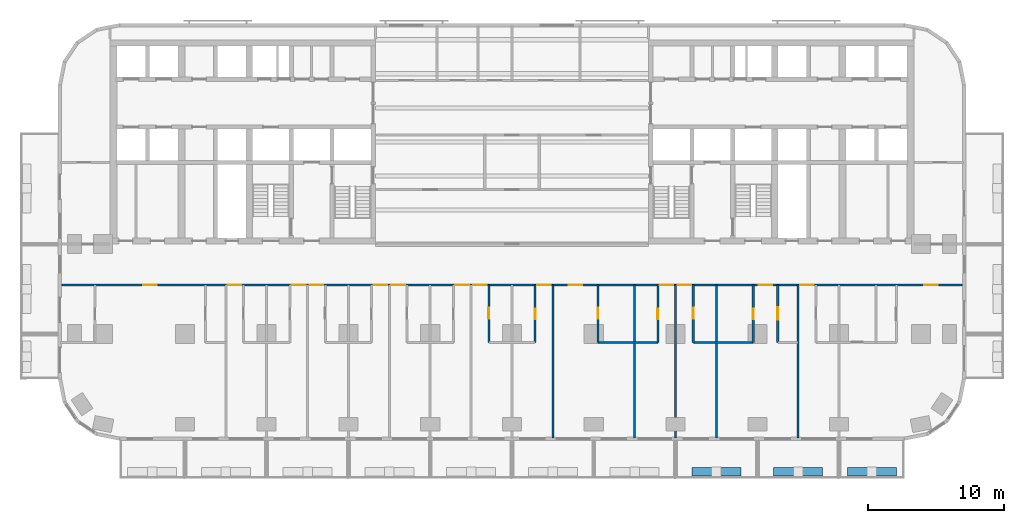
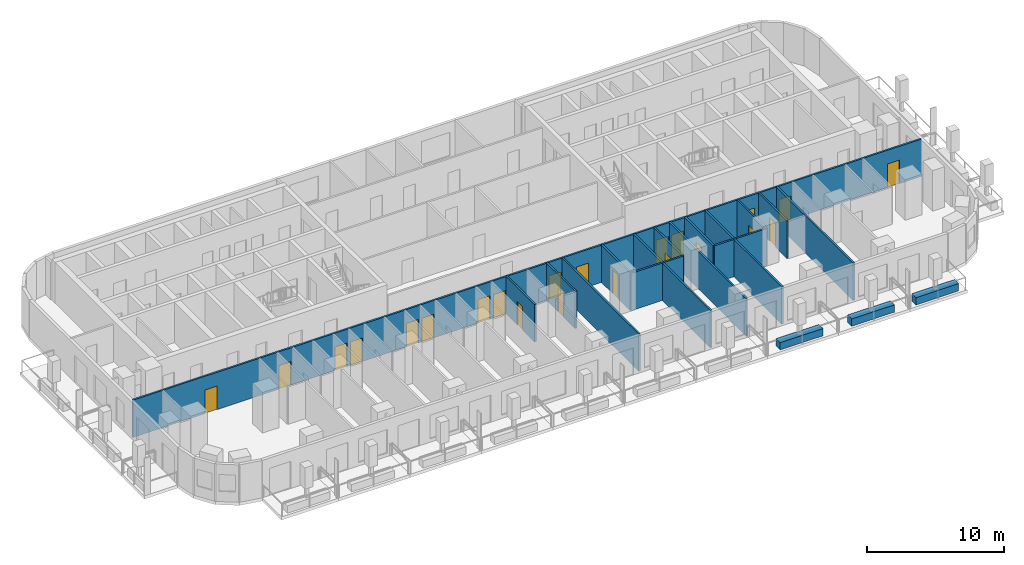
# One storey, part 5 of 14: 22 doors, 18 walls, 22 openings.
"""IFC4 building model written with IfcOpenShell, lengths in metres."""

from ifc_helpers import new_model, si_unit, direction, frame, frame_2d, origin, place, context, subcontext, project, spatial, rectangle, extrude, material, layer, layer_set, type_object, element, fill, save


model = new_model("IFC4")

# Units and contexts
model_context = context("Model", 3, precision=1e-05, world=origin(), true_north=direction((0.0, 1.0)))
body_context = subcontext(model_context, "Body", "Model", "MODEL_VIEW")
ifc_project = project(units=[si_unit("LENGTHUNIT", "METRE"), si_unit("AREAUNIT", "SQUARE_METRE"), si_unit("VOLUMEUNIT", "CUBIC_METRE"), si_unit("PLANEANGLEUNIT", "RADIAN"), si_unit("MASSUNIT", "GRAM", prefix="KILO")], contexts=[model_context])

# Site, building, storey
site_placement = place(None, origin())
site = spatial("IfcSite", under=ifc_project, at=site_placement, CompositionType="ELEMENT")
building_placement = place(site_placement, origin())
building = spatial("IfcBuilding", under=site, at=building_placement, Name="Torana Hotel and Residences", CompositionType="ELEMENT")
storey_placement = place(building_placement, frame((0.0, 0.0, 38.39990234375)))
storey = spatial("IfcBuildingStorey", under=building, at=storey_placement, Name="L08", CompositionType="ELEMENT", Elevation=38.39990234375)

# Wall, openings, doors
ifc_material_1 = material(Name="Gypsum plaster")
ifc_layer_1 = layer(ifc_material_1, 0.014892578125, Name="Plaster", Category="finish")
ifc_material_2 = material(Name="Concrete blockwork", Category="masonry")
ifc_layer_2 = layer(ifc_material_2, 0.1201171875, Name="Blockwork", Category="structure")
ifc_layer_3 = layer(ifc_material_1, 0.014892578125, Name="Plaster", Category="finish")
ifc_layer_set_1 = layer_set([ifc_layer_1, ifc_layer_2, ifc_layer_3], Name="FIRE PARTITION 150 BLOCKWORK")
wall_type_1 = type_object("IfcWallType", Name="FIRE PARTITION 150 BLOCKWORK", PredefinedType="PARTITIONING", material=ifc_layer_set_1)
wall_1_placement = place(storey_placement, frame((-33.1201171875, -18.0, 0.0), z_axis=(0.0, 0.0, 1.0), x_axis=(1.0, 0.0, 0.0)))
wall_1 = element("IfcWall", 1, at=wall_1_placement, inside=storey, type_object=wall_type_1, Name="Partition L08", PredefinedType="PARTITIONING", context=body_context, shape_type="SweptSolid", body=[
    extrude(rectangle(XDim=66.240234375, YDim=0.14990234375, at=frame_2d((33.1201171875, 0.0))), origin(), (0.0, 0.0, 1.0), 3.320068359375),
])
opening_1_placement = place(wall_1_placement, frame((12.27001953125, 0.0, 0.0)))
opening_1 = element("IfcOpeningElement", 2, at=opening_1_placement, cuts=wall_1, Name="Opening L08-38", PredefinedType="OPENING", context=body_context, shape_type="SweptSolid", body=[
    extrude(rectangle(XDim=1.0, YDim=2.10009765625, at=frame_2d((0.5, 1.050048828125))), frame((0.0, 0.0849609375, 0.0), z_axis=(0.0, -1.0, 0.0), x_axis=(1.0, 0.0, 0.0)), (0.0, 0.0, 1.0), 0.169921875),
])
opening_2_placement = place(wall_1_placement, frame((16.969970703125, 0.0, 0.0)))
opening_2 = element("IfcOpeningElement", 3, at=opening_2_placement, cuts=wall_1, Name="Opening L08-39", PredefinedType="OPENING", context=body_context, shape_type="SweptSolid", body=[
    extrude(rectangle(XDim=1.0, YDim=2.10009765625, at=frame_2d((0.5, 1.050048828125))), frame((0.0, 0.0849609375, 0.0), z_axis=(0.0, -1.0, 0.0), x_axis=(1.0, 0.0, 0.0)), (0.0, 0.0, 1.0), 0.169921875),
])
opening_3_placement = place(wall_1_placement, frame((18.27001953125, 0.0, 0.0)))
opening_3 = element("IfcOpeningElement", 4, at=opening_3_placement, cuts=wall_1, Name="Opening L08-40", PredefinedType="OPENING", context=body_context, shape_type="SweptSolid", body=[
    extrude(rectangle(XDim=1.0, YDim=2.10009765625, at=frame_2d((0.5, 1.050048828125))), frame((0.0, 0.0849609375, 0.0), z_axis=(0.0, -1.0, 0.0), x_axis=(1.0, 0.0, 0.0)), (0.0, 0.0, 1.0), 0.169921875),
])
opening_4_placement = place(wall_1_placement, frame((22.969970703125, 0.0, 0.0)))
opening_4 = element("IfcOpeningElement", 5, at=opening_4_placement, cuts=wall_1, Name="Opening L08-41", PredefinedType="OPENING", context=body_context, shape_type="SweptSolid", body=[
    extrude(rectangle(XDim=1.0, YDim=2.10009765625, at=frame_2d((0.5, 1.050048828125))), frame((0.0, 0.0849609375, 0.0), z_axis=(0.0, -1.0, 0.0), x_axis=(1.0, 0.0, 0.0)), (0.0, 0.0, 1.0), 0.169921875),
])
opening_5_placement = place(wall_1_placement, frame((24.27001953125, 0.0, 0.0)))
opening_5 = element("IfcOpeningElement", 6, at=opening_5_placement, cuts=wall_1, Name="Opening L08-42", PredefinedType="OPENING", context=body_context, shape_type="SweptSolid", body=[
    extrude(rectangle(XDim=1.0, YDim=2.10009765625, at=frame_2d((0.5, 1.050048828125))), frame((0.0, 0.0849609375, 0.0), z_axis=(0.0, -1.0, 0.0), x_axis=(1.0, 0.0, 0.0)), (0.0, 0.0, 1.0), 0.169921875),
])
opening_6_placement = place(wall_1_placement, frame((28.969970703125, 0.0, 0.0)))
opening_6 = element("IfcOpeningElement", 7, at=opening_6_placement, cuts=wall_1, Name="Opening L08-43", PredefinedType="OPENING", context=body_context, shape_type="SweptSolid", body=[
    extrude(rectangle(XDim=1.0, YDim=2.10009765625, at=frame_2d((0.5, 1.050048828125))), frame((0.0, 0.0849609375, 0.0), z_axis=(0.0, -1.0, 0.0), x_axis=(1.0, 0.0, 0.0)), (0.0, 0.0, 1.0), 0.169921875),
])
opening_7_placement = place(wall_1_placement, frame((30.27001953125, 0.0, 0.0)))
opening_7 = element("IfcOpeningElement", 8, at=opening_7_placement, cuts=wall_1, Name="Opening L08-44", PredefinedType="OPENING", context=body_context, shape_type="SweptSolid", body=[
    extrude(rectangle(XDim=1.0, YDim=2.10009765625, at=frame_2d((0.5, 1.050048828125))), frame((0.0, 0.0849609375, 0.0), z_axis=(0.0, -1.0, 0.0), x_axis=(1.0, 0.0, 0.0)), (0.0, 0.0, 1.0), 0.169921875),
])
opening_8_placement = place(wall_1_placement, frame((34.969970703125, 0.0, 0.0)))
opening_8 = element("IfcOpeningElement", 9, at=opening_8_placement, cuts=wall_1, Name="Opening L08-45", PredefinedType="OPENING", context=body_context, shape_type="SweptSolid", body=[
    extrude(rectangle(XDim=1.0, YDim=2.10009765625, at=frame_2d((0.5, 1.050048828125))), frame((0.0, 0.0849609375, 0.0), z_axis=(0.0, -1.0, 0.0), x_axis=(1.0, 0.0, 0.0)), (0.0, 0.0, 1.0), 0.169921875),
])
opening_9_placement = place(wall_1_placement, frame((37.27001953125, 0.0, 0.0)))
opening_9 = element("IfcOpeningElement", 10, at=opening_9_placement, cuts=wall_1, Name="Opening L08-46", PredefinedType="OPENING", context=body_context, shape_type="SweptSolid", body=[
    extrude(rectangle(XDim=1.0, YDim=2.10009765625, at=frame_2d((0.5, 1.050048828125))), frame((0.0, 0.0849609375, 0.0), z_axis=(0.0, -1.0, 0.0), x_axis=(1.0, 0.0, 0.0)), (0.0, 0.0, 1.0), 0.169921875),
])
opening_10_placement = place(wall_1_placement, frame((43.969970703125, 0.0, 0.0)))
opening_10 = element("IfcOpeningElement", 11, at=opening_10_placement, cuts=wall_1, Name="Opening L08-47", PredefinedType="OPENING", context=body_context, shape_type="SweptSolid", body=[
    extrude(rectangle(XDim=1.0, YDim=2.10009765625, at=frame_2d((0.5, 1.050048828125))), frame((0.0, 0.0849609375, 0.0), z_axis=(0.0, -1.0, 0.0), x_axis=(1.0, 0.0, 0.0)), (0.0, 0.0, 1.0), 0.169921875),
])
opening_11_placement = place(wall_1_placement, frame((45.27001953125, 0.0, 0.0)))
opening_11 = element("IfcOpeningElement", 12, at=opening_11_placement, cuts=wall_1, Name="Opening L08-48", PredefinedType="OPENING", context=body_context, shape_type="SweptSolid", body=[
    extrude(rectangle(XDim=1.0, YDim=2.10009765625, at=frame_2d((0.5, 1.050048828125))), frame((0.0, 0.0849609375, 0.0), z_axis=(0.0, -1.0, 0.0), x_axis=(1.0, 0.0, 0.0)), (0.0, 0.0, 1.0), 0.169921875),
])
opening_12_placement = place(wall_1_placement, frame((51.219970703125, 0.0, 0.0)))
opening_12 = element("IfcOpeningElement", 13, at=opening_12_placement, cuts=wall_1, Name="Opening L08-49", PredefinedType="OPENING", context=body_context, shape_type="SweptSolid", body=[
    extrude(rectangle(XDim=1.0, YDim=2.10009765625, at=frame_2d((0.5, 1.050048828125))), frame((0.0, 0.0849609375, 0.0), z_axis=(0.0, -1.0, 0.0), x_axis=(1.0, 0.0, 0.0)), (0.0, 0.0, 1.0), 0.169921875),
])
opening_13_placement = place(wall_1_placement, frame((54.27001953125, 0.0, 0.0)))
opening_13 = element("IfcOpeningElement", 14, at=opening_13_placement, cuts=wall_1, Name="Opening L08-50", PredefinedType="OPENING", context=body_context, shape_type="SweptSolid", body=[
    extrude(rectangle(XDim=1.0, YDim=2.10009765625, at=frame_2d((0.5, 1.050048828125))), frame((0.0, 0.0849609375, 0.0), z_axis=(0.0, -1.0, 0.0), x_axis=(1.0, 0.0, 0.0)), (0.0, 0.0, 1.0), 0.169921875),
])
opening_14_placement = place(wall_1_placement, frame((6.070068359375, 0.0, 0.0)))
opening_14 = element("IfcOpeningElement", 15, at=opening_14_placement, cuts=wall_1, Name="Opening L08-51", PredefinedType="OPENING", context=body_context, shape_type="SweptSolid", body=[
    extrude(rectangle(XDim=1.0, YDim=2.10009765625, at=frame_2d((0.5, 1.050048828125))), frame((0.0, 0.0849609375, 0.0), z_axis=(0.0, -1.0, 0.0), x_axis=(1.0, 0.0, 0.0)), (0.0, 0.0, 1.0), 0.169921875),
])
opening_15_placement = place(wall_1_placement, frame((63.3701171875, 0.0, 0.0)))
opening_15 = element("IfcOpeningElement", 16, at=opening_15_placement, cuts=wall_1, Name="Opening L08-52", PredefinedType="OPENING", context=body_context, shape_type="SweptSolid", body=[
    extrude(rectangle(XDim=1.0, YDim=2.10009765625, at=frame_2d((0.5, 1.050048828125))), frame((0.0, 0.0849609375, 0.0), z_axis=(0.0, -1.0, 0.0), x_axis=(1.0, 0.0, 0.0)), (0.0, 0.0, 1.0), 0.169921875),
])
ifc_material_3 = material(Name="Steel S235", Category="steel")
door_type_1 = type_object("IfcDoorType", Name="ENTRY FIRE DOOR D6 1000x2100", OperationType="SINGLE_SWING_LEFT", PredefinedType="DOOR", material=ifc_material_3)
door_1_placement = place(opening_1_placement, frame((0.5, 0.0, 0.0), z_axis=(0.0, 0.0, 1.0), x_axis=(-1.0, 0.0, 0.0)))
door_1 = element("IfcDoor", 17, at=door_1_placement, inside=storey, type_object=door_type_1, Name="Door L08", OperationType="SINGLE_SWING_LEFT", OverallHeight=2.10009765625, OverallWidth=1.0, PredefinedType="DOOR", context=body_context, shape_type="SweptSolid", body=[
    extrude(rectangle(XDim=1.0, YDim=2.10009765625, at=frame_2d((0.0, 1.050048828125))), frame((0.0, -0.02490234375, 0.0), z_axis=(0.0, 1.0, 0.0), x_axis=(-1.0, 0.0, 0.0)), (0.0, 0.0, 1.0), 0.050048828125),
])
fill(opening_1, door_1)
door_2_placement = place(opening_2_placement, frame((0.5, 0.0, 0.0), z_axis=(0.0, 0.0, 1.0), x_axis=(-1.0, 0.0, 0.0)))
door_2 = element("IfcDoor", 18, at=door_2_placement, inside=storey, type_object=door_type_1, Name="Door L08", OperationType="SINGLE_SWING_LEFT", OverallHeight=2.10009765625, OverallWidth=1.0, PredefinedType="DOOR", context=body_context, shape_type="SweptSolid", body=[
    extrude(rectangle(XDim=1.0, YDim=2.10009765625, at=frame_2d((0.0, 1.050048828125))), frame((0.0, -0.02490234375, 0.0), z_axis=(0.0, 1.0, 0.0), x_axis=(-1.0, 0.0, 0.0)), (0.0, 0.0, 1.0), 0.050048828125),
])
fill(opening_2, door_2)
door_3_placement = place(opening_3_placement, frame((0.5, 0.0, 0.0), z_axis=(0.0, 0.0, 1.0), x_axis=(-1.0, 0.0, 0.0)))
door_3 = element("IfcDoor", 19, at=door_3_placement, inside=storey, type_object=door_type_1, Name="Door L08", OperationType="SINGLE_SWING_LEFT", OverallHeight=2.10009765625, OverallWidth=1.0, PredefinedType="DOOR", context=body_context, shape_type="SweptSolid", body=[
    extrude(rectangle(XDim=1.0, YDim=2.10009765625, at=frame_2d((0.0, 1.050048828125))), frame((0.0, -0.02490234375, 0.0), z_axis=(0.0, 1.0, 0.0), x_axis=(-1.0, 0.0, 0.0)), (0.0, 0.0, 1.0), 0.050048828125),
])
fill(opening_3, door_3)
door_4_placement = place(opening_4_placement, frame((0.5, 0.0, 0.0), z_axis=(0.0, 0.0, 1.0), x_axis=(-1.0, 0.0, 0.0)))
door_4 = element("IfcDoor", 20, at=door_4_placement, inside=storey, type_object=door_type_1, Name="Door L08", OperationType="SINGLE_SWING_LEFT", OverallHeight=2.10009765625, OverallWidth=1.0, PredefinedType="DOOR", context=body_context, shape_type="SweptSolid", body=[
    extrude(rectangle(XDim=1.0, YDim=2.10009765625, at=frame_2d((0.0, 1.050048828125))), frame((0.0, -0.02490234375, 0.0), z_axis=(0.0, 1.0, 0.0), x_axis=(-1.0, 0.0, 0.0)), (0.0, 0.0, 1.0), 0.050048828125),
])
fill(opening_4, door_4)
door_5_placement = place(opening_5_placement, frame((0.5, 0.0, 0.0), z_axis=(0.0, 0.0, 1.0), x_axis=(-1.0, 0.0, 0.0)))
door_5 = element("IfcDoor", 21, at=door_5_placement, inside=storey, type_object=door_type_1, Name="Door L08", OperationType="SINGLE_SWING_LEFT", OverallHeight=2.10009765625, OverallWidth=1.0, PredefinedType="DOOR", context=body_context, shape_type="SweptSolid", body=[
    extrude(rectangle(XDim=1.0, YDim=2.10009765625, at=frame_2d((0.0, 1.050048828125))), frame((0.0, -0.02490234375, 0.0), z_axis=(0.0, 1.0, 0.0), x_axis=(-1.0, 0.0, 0.0)), (0.0, 0.0, 1.0), 0.050048828125),
])
fill(opening_5, door_5)
door_6_placement = place(opening_6_placement, frame((0.5, 0.0, 0.0), z_axis=(0.0, 0.0, 1.0), x_axis=(-1.0, 0.0, 0.0)))
door_6 = element("IfcDoor", 22, at=door_6_placement, inside=storey, type_object=door_type_1, Name="Door L08", OperationType="SINGLE_SWING_LEFT", OverallHeight=2.10009765625, OverallWidth=1.0, PredefinedType="DOOR", context=body_context, shape_type="SweptSolid", body=[
    extrude(rectangle(XDim=1.0, YDim=2.10009765625, at=frame_2d((0.0, 1.050048828125))), frame((0.0, -0.02490234375, 0.0), z_axis=(0.0, 1.0, 0.0), x_axis=(-1.0, 0.0, 0.0)), (0.0, 0.0, 1.0), 0.050048828125),
])
fill(opening_6, door_6)
door_7_placement = place(opening_7_placement, frame((0.5, 0.0, 0.0), z_axis=(0.0, 0.0, 1.0), x_axis=(-1.0, 0.0, 0.0)))
door_7 = element("IfcDoor", 23, at=door_7_placement, inside=storey, type_object=door_type_1, Name="Door L08", OperationType="SINGLE_SWING_LEFT", OverallHeight=2.10009765625, OverallWidth=1.0, PredefinedType="DOOR", context=body_context, shape_type="SweptSolid", body=[
    extrude(rectangle(XDim=1.0, YDim=2.10009765625, at=frame_2d((0.0, 1.050048828125))), frame((0.0, -0.02490234375, 0.0), z_axis=(0.0, 1.0, 0.0), x_axis=(-1.0, 0.0, 0.0)), (0.0, 0.0, 1.0), 0.050048828125),
])
fill(opening_7, door_7)
door_8_placement = place(opening_8_placement, frame((0.5, 0.0, 0.0), z_axis=(0.0, 0.0, 1.0), x_axis=(-1.0, 0.0, 0.0)))
door_8 = element("IfcDoor", 24, at=door_8_placement, inside=storey, type_object=door_type_1, Name="Door L08", OperationType="SINGLE_SWING_LEFT", OverallHeight=2.10009765625, OverallWidth=1.0, PredefinedType="DOOR", context=body_context, shape_type="SweptSolid", body=[
    extrude(rectangle(XDim=1.0, YDim=2.10009765625, at=frame_2d((0.0, 1.050048828125))), frame((0.0, -0.02490234375, 0.0), z_axis=(0.0, 1.0, 0.0), x_axis=(-1.0, 0.0, 0.0)), (0.0, 0.0, 1.0), 0.050048828125),
])
fill(opening_8, door_8)
door_9_placement = place(opening_9_placement, frame((0.5, 0.0, 0.0), z_axis=(0.0, 0.0, 1.0), x_axis=(-1.0, 0.0, 0.0)))
door_9 = element("IfcDoor", 25, at=door_9_placement, inside=storey, type_object=door_type_1, Name="Door L08", OperationType="SINGLE_SWING_LEFT", OverallHeight=2.10009765625, OverallWidth=1.0, PredefinedType="DOOR", context=body_context, shape_type="SweptSolid", body=[
    extrude(rectangle(XDim=1.0, YDim=2.10009765625, at=frame_2d((0.0, 1.050048828125))), frame((0.0, -0.02490234375, 0.0), z_axis=(0.0, 1.0, 0.0), x_axis=(-1.0, 0.0, 0.0)), (0.0, 0.0, 1.0), 0.050048828125),
])
fill(opening_9, door_9)
door_10_placement = place(opening_10_placement, frame((0.5, 0.0, 0.0), z_axis=(0.0, 0.0, 1.0), x_axis=(-1.0, 0.0, 0.0)))
door_10 = element("IfcDoor", 26, at=door_10_placement, inside=storey, type_object=door_type_1, Name="Door L08", OperationType="SINGLE_SWING_LEFT", OverallHeight=2.10009765625, OverallWidth=1.0, PredefinedType="DOOR", context=body_context, shape_type="SweptSolid", body=[
    extrude(rectangle(XDim=1.0, YDim=2.10009765625, at=frame_2d((0.0, 1.050048828125))), frame((0.0, -0.02490234375, 0.0), z_axis=(0.0, 1.0, 0.0), x_axis=(-1.0, 0.0, 0.0)), (0.0, 0.0, 1.0), 0.050048828125),
])
fill(opening_10, door_10)
door_11_placement = place(opening_11_placement, frame((0.5, 0.0, 0.0), z_axis=(0.0, 0.0, 1.0), x_axis=(-1.0, 0.0, 0.0)))
door_11 = element("IfcDoor", 27, at=door_11_placement, inside=storey, type_object=door_type_1, Name="Door L08", OperationType="SINGLE_SWING_LEFT", OverallHeight=2.10009765625, OverallWidth=1.0, PredefinedType="DOOR", context=body_context, shape_type="SweptSolid", body=[
    extrude(rectangle(XDim=1.0, YDim=2.10009765625, at=frame_2d((0.0, 1.050048828125))), frame((0.0, -0.02490234375, 0.0), z_axis=(0.0, 1.0, 0.0), x_axis=(-1.0, 0.0, 0.0)), (0.0, 0.0, 1.0), 0.050048828125),
])
fill(opening_11, door_11)
door_12_placement = place(opening_12_placement, frame((0.5, 0.0, 0.0), z_axis=(0.0, 0.0, 1.0), x_axis=(-1.0, 0.0, 0.0)))
door_12 = element("IfcDoor", 28, at=door_12_placement, inside=storey, type_object=door_type_1, Name="Door L08", OperationType="SINGLE_SWING_LEFT", OverallHeight=2.10009765625, OverallWidth=1.0, PredefinedType="DOOR", context=body_context, shape_type="SweptSolid", body=[
    extrude(rectangle(XDim=1.0, YDim=2.10009765625, at=frame_2d((0.0, 1.050048828125))), frame((0.0, -0.02490234375, 0.0), z_axis=(0.0, 1.0, 0.0), x_axis=(-1.0, 0.0, 0.0)), (0.0, 0.0, 1.0), 0.050048828125),
])
fill(opening_12, door_12)
door_13_placement = place(opening_13_placement, frame((0.5, 0.0, 0.0), z_axis=(0.0, 0.0, 1.0), x_axis=(-1.0, 0.0, 0.0)))
door_13 = element("IfcDoor", 29, at=door_13_placement, inside=storey, type_object=door_type_1, Name="Door L08", OperationType="SINGLE_SWING_LEFT", OverallHeight=2.10009765625, OverallWidth=1.0, PredefinedType="DOOR", context=body_context, shape_type="SweptSolid", body=[
    extrude(rectangle(XDim=1.0, YDim=2.10009765625, at=frame_2d((0.0, 1.050048828125))), frame((0.0, -0.02490234375, 0.0), z_axis=(0.0, 1.0, 0.0), x_axis=(-1.0, 0.0, 0.0)), (0.0, 0.0, 1.0), 0.050048828125),
])
fill(opening_13, door_13)
door_14_placement = place(opening_14_placement, frame((0.5, 0.0, 0.0), z_axis=(0.0, 0.0, 1.0), x_axis=(-1.0, 0.0, 0.0)))
door_14 = element("IfcDoor", 30, at=door_14_placement, inside=storey, type_object=door_type_1, Name="Door L08", OperationType="SINGLE_SWING_LEFT", OverallHeight=2.10009765625, OverallWidth=1.0, PredefinedType="DOOR", context=body_context, shape_type="SweptSolid", body=[
    extrude(rectangle(XDim=1.0, YDim=2.10009765625, at=frame_2d((0.0, 1.050048828125))), frame((0.0, -0.02490234375, 0.0), z_axis=(0.0, 1.0, 0.0), x_axis=(-1.0, 0.0, 0.0)), (0.0, 0.0, 1.0), 0.050048828125),
])
fill(opening_14, door_14)
door_15_placement = place(opening_15_placement, frame((0.5, 0.0, 0.0), z_axis=(0.0, 0.0, 1.0), x_axis=(-1.0, 0.0, 0.0)))
door_15 = element("IfcDoor", 31, at=door_15_placement, inside=storey, type_object=door_type_1, Name="Door L08", OperationType="SINGLE_SWING_LEFT", OverallHeight=2.10009765625, OverallWidth=1.0, PredefinedType="DOOR", context=body_context, shape_type="SweptSolid", body=[
    extrude(rectangle(XDim=1.0, YDim=2.10009765625, at=frame_2d((0.0, 1.050048828125))), frame((0.0, -0.02490234375, 0.0), z_axis=(0.0, 1.0, 0.0), x_axis=(-1.0, 0.0, 0.0)), (0.0, 0.0, 1.0), 0.050048828125),
])
fill(opening_15, door_15)

# Wall
ifc_material_4 = material(Name="Gypsum plasterboard")
ifc_layer_4 = layer(ifc_material_4, 0.012451171875, Name="Plasterboard", Category="finish")
ifc_layer_5 = layer(ifc_material_4, 0.012451171875, Name="Plasterboard", Category="finish")
ifc_material_5 = material(Name="Steel S280GD", Category="steel")
ifc_layer_6 = layer(ifc_material_5, 0.10009765625, Name="Steel studs with mineral wool", Category="insulation")
ifc_layer_7 = layer(ifc_material_4, 0.012451171875, Name="Plasterboard", Category="finish")
ifc_layer_8 = layer(ifc_material_4, 0.012451171875, Name="Plasterboard", Category="finish")
ifc_layer_set_2 = layer_set([ifc_layer_4, ifc_layer_5, ifc_layer_6, ifc_layer_7, ifc_layer_8], Name="PARTITION 150 PLASTERBOARD")
wall_type_2 = type_object("IfcWallType", Name="PARTITION 150 PLASTERBOARD", PredefinedType="PARTITIONING", material=ifc_layer_set_2)
wall_2_placement = place(storey_placement, frame((21.0, -29.219970703125, 0.0), z_axis=(0.0, 0.0, 1.0), x_axis=(0.0, 1.0, 0.0)))
element("IfcWall", 32, at=wall_2_placement, inside=storey, type_object=wall_type_2, Name="Partition L08", PredefinedType="PARTITIONING", context=body_context, shape_type="SweptSolid", body=[
    extrude(rectangle(XDim=11.219970703125, YDim=0.14990234375, at=frame_2d((5.60986328125, 0.0))), origin(), (0.0, 0.0, 1.0), 3.320068359375),
])

# Wall, opening, door
wall_3_placement = place(storey_placement, frame((19.5, -22.199951171875, 0.0), z_axis=(0.0, 0.0, 1.0), x_axis=(0.0, 1.0, 0.0)))
wall_3 = element("IfcWall", 33, at=wall_3_placement, inside=storey, type_object=wall_type_2, Name="Partition L08", PredefinedType="PARTITIONING", context=body_context, shape_type="SweptSolid", body=[
    extrude(rectangle(XDim=4.199951171875, YDim=0.14990234375, at=frame_2d((2.10009765625, 0.0))), origin(), (0.0, 0.0, 1.0), 3.320068359375),
])
opening_16_placement = place(wall_3_placement, frame((1.669921875, 0.0, 0.0)))
opening_16 = element("IfcOpeningElement", 34, at=opening_16_placement, cuts=wall_3, Name="Opening L08-76", PredefinedType="OPENING", context=body_context, shape_type="SweptSolid", body=[
    extrude(rectangle(XDim=0.89990234375, YDim=2.10009765625, at=frame_2d((0.449951171875, 1.050048828125))), frame((0.0, 0.0849609375, 0.0), z_axis=(0.0, -1.0, 0.0), x_axis=(1.0, 0.0, 0.0)), (0.0, 0.0, 1.0), 0.169921875),
])
ifc_material_6 = material(Name="Timber door, oiled ash", Category="wood")
door_type_2 = type_object("IfcDoorType", Name="ROOM DOOR D7 900x2100", OperationType="SINGLE_SWING_LEFT", PredefinedType="DOOR", material=ifc_material_6)
door_16_placement = place(opening_16_placement, origin())
door_16 = element("IfcDoor", 35, at=door_16_placement, inside=storey, type_object=door_type_2, Name="Door L08", OperationType="SINGLE_SWING_RIGHT", OverallHeight=2.10009765625, OverallWidth=0.89990234375, PredefinedType="DOOR", context=body_context, shape_type="SweptSolid", body=[
    extrude(rectangle(XDim=0.89990234375, YDim=2.10009765625, at=frame_2d((0.449951171875, 1.050048828125))), frame((0.0, 0.02490234375, 0.0), z_axis=(0.0, -1.0, 0.0), x_axis=(1.0, 0.0, 0.0)), (0.0, 0.0, 1.0), 0.050048828125),
])
fill(opening_16, door_16)

wall_4_placement = place(storey_placement, frame((17.699951171875, -22.199951171875, 0.0), z_axis=(0.0, 0.0, 1.0), x_axis=(0.0, 1.0, 0.0)))
wall_4 = element("IfcWall", 36, at=wall_4_placement, inside=storey, type_object=wall_type_2, Name="Partition L08", PredefinedType="PARTITIONING", context=body_context, shape_type="SweptSolid", body=[
    extrude(rectangle(XDim=4.199951171875, YDim=0.14990234375, at=frame_2d((2.10009765625, 0.0))), origin(), (0.0, 0.0, 1.0), 3.320068359375),
])
opening_17_placement = place(wall_4_placement, frame((1.679931640625, 0.0, 0.0)))
opening_17 = element("IfcOpeningElement", 37, at=opening_17_placement, cuts=wall_4, Name="Opening L08-75", PredefinedType="OPENING", context=body_context, shape_type="SweptSolid", body=[
    extrude(rectangle(XDim=0.800048828125, YDim=2.10009765625, at=frame_2d((0.39990234375, 1.050048828125))), frame((0.0, 0.0849609375, 0.0), z_axis=(0.0, -1.0, 0.0), x_axis=(1.0, 0.0, 0.0)), (0.0, 0.0, 1.0), 0.169921875),
])
ifc_material_7 = material(Name="Timber door, painted", Category="wood")
door_type_3 = type_object("IfcDoorType", Name="BATH DOOR D13 800x2100", OperationType="SINGLE_SWING_LEFT", PredefinedType="DOOR", material=ifc_material_7)
door_17_placement = place(opening_17_placement, origin())
door_17 = element("IfcDoor", 38, at=door_17_placement, inside=storey, type_object=door_type_3, Name="Door L08", OperationType="SINGLE_SWING_RIGHT", OverallHeight=2.10009765625, OverallWidth=0.800048828125, PredefinedType="DOOR", context=body_context, shape_type="SweptSolid", body=[
    extrude(rectangle(XDim=0.800048828125, YDim=2.10009765625, at=frame_2d((0.39990234375, 1.050048828125))), frame((0.0, 0.02490234375, 0.0), z_axis=(0.0, -1.0, 0.0), x_axis=(1.0, 0.0, 0.0)), (0.0, 0.0, 1.0), 0.050048828125),
])
fill(opening_17, door_17)

# Wall
wall_5_placement = place(storey_placement, frame((15.0, -29.219970703125, 0.0), z_axis=(0.0, 0.0, 1.0), x_axis=(0.0, 1.0, 0.0)))
element("IfcWall", 39, at=wall_5_placement, inside=storey, type_object=wall_type_2, Name="Partition L08", PredefinedType="PARTITIONING", context=body_context, shape_type="SweptSolid", body=[
    extrude(rectangle(XDim=11.219970703125, YDim=0.14990234375, at=frame_2d((5.60986328125, 0.0))), origin(), (0.0, 0.0, 1.0), 3.320068359375),
])

# Wall, opening, door
wall_6_placement = place(storey_placement, frame((13.300048828125, -22.199951171875, 0.0), z_axis=(0.0, 0.0, 1.0), x_axis=(0.0, 1.0, 0.0)))
wall_6 = element("IfcWall", 40, at=wall_6_placement, inside=storey, type_object=wall_type_2, Name="Partition L08", PredefinedType="PARTITIONING", context=body_context, shape_type="SweptSolid", body=[
    extrude(rectangle(XDim=4.199951171875, YDim=0.14990234375, at=frame_2d((2.10009765625, 0.0))), origin(), (0.0, 0.0, 1.0), 3.320068359375),
])
opening_18_placement = place(wall_6_placement, frame((1.719970703125, 0.0, 0.0)))
opening_18 = element("IfcOpeningElement", 41, at=opening_18_placement, cuts=wall_6, Name="Opening L08-74", PredefinedType="OPENING", context=body_context, shape_type="SweptSolid", body=[
    extrude(rectangle(XDim=0.800048828125, YDim=2.10009765625, at=frame_2d((0.39990234375, 1.050048828125))), frame((0.0, 0.0849609375, 0.0), z_axis=(0.0, -1.0, 0.0), x_axis=(1.0, 0.0, 0.0)), (0.0, 0.0, 1.0), 0.169921875),
])
door_18_placement = place(opening_18_placement, origin())
door_18 = element("IfcDoor", 42, at=door_18_placement, inside=storey, type_object=door_type_3, Name="Door L08", OperationType="SINGLE_SWING_RIGHT", OverallHeight=2.10009765625, OverallWidth=0.800048828125, PredefinedType="DOOR", context=body_context, shape_type="SweptSolid", body=[
    extrude(rectangle(XDim=0.800048828125, YDim=2.10009765625, at=frame_2d((0.39990234375, 1.050048828125))), frame((0.0, 0.02490234375, 0.0), z_axis=(0.0, -1.0, 0.0), x_axis=(1.0, 0.0, 0.0)), (0.0, 0.0, 1.0), 0.050048828125),
])
fill(opening_18, door_18)

# Wall
wall_7_placement = place(storey_placement, frame((12.0, -29.219970703125, 0.0), z_axis=(0.0, 0.0, 1.0), x_axis=(0.0, 1.0, 0.0)))
element("IfcWall", 43, at=wall_7_placement, inside=storey, type_object=wall_type_2, Name="Partition L08", PredefinedType="PARTITIONING", context=body_context, shape_type="SweptSolid", body=[
    extrude(rectangle(XDim=11.219970703125, YDim=0.14990234375, at=frame_2d((5.60986328125, 0.0))), origin(), (0.0, 0.0, 1.0), 3.320068359375),
])

# Wall, opening, door
wall_8_placement = place(storey_placement, frame((10.699951171875, -22.199951171875, 0.0), z_axis=(0.0, 0.0, 1.0), x_axis=(0.0, 1.0, 0.0)))
wall_8 = element("IfcWall", 44, at=wall_8_placement, inside=storey, type_object=wall_type_2, Name="Partition L08", PredefinedType="PARTITIONING", context=body_context, shape_type="SweptSolid", body=[
    extrude(rectangle(XDim=4.199951171875, YDim=0.14990234375, at=frame_2d((2.10009765625, 0.0))), origin(), (0.0, 0.0, 1.0), 3.320068359375),
])
opening_19_placement = place(wall_8_placement, frame((1.679931640625, 0.0, 0.0)))
opening_19 = element("IfcOpeningElement", 45, at=opening_19_placement, cuts=wall_8, Name="Opening L08-73", PredefinedType="OPENING", context=body_context, shape_type="SweptSolid", body=[
    extrude(rectangle(XDim=0.800048828125, YDim=2.10009765625, at=frame_2d((0.39990234375, 1.050048828125))), frame((0.0, 0.0849609375, 0.0), z_axis=(0.0, -1.0, 0.0), x_axis=(1.0, 0.0, 0.0)), (0.0, 0.0, 1.0), 0.169921875),
])
door_19_placement = place(opening_19_placement, origin())
door_19 = element("IfcDoor", 46, at=door_19_placement, inside=storey, type_object=door_type_3, Name="Door L08", OperationType="SINGLE_SWING_RIGHT", OverallHeight=2.10009765625, OverallWidth=0.800048828125, PredefinedType="DOOR", context=body_context, shape_type="SweptSolid", body=[
    extrude(rectangle(XDim=0.800048828125, YDim=2.10009765625, at=frame_2d((0.39990234375, 1.050048828125))), frame((0.0, 0.02490234375, 0.0), z_axis=(0.0, -1.0, 0.0), x_axis=(1.0, 0.0, 0.0)), (0.0, 0.0, 1.0), 0.050048828125),
])
fill(opening_19, door_19)

# Wall
wall_9_placement = place(storey_placement, frame((9.0, -29.219970703125, 0.0), z_axis=(0.0, 0.0, 1.0), x_axis=(0.0, 1.0, 0.0)))
element("IfcWall", 47, at=wall_9_placement, inside=storey, type_object=wall_type_2, Name="Partition L08", PredefinedType="PARTITIONING", context=body_context, shape_type="SweptSolid", body=[
    extrude(rectangle(XDim=11.219970703125, YDim=0.14990234375, at=frame_2d((5.60986328125, 0.0))), origin(), (0.0, 0.0, 1.0), 3.320068359375),
])

# Wall, opening, door
wall_10_placement = place(storey_placement, frame((6.300048828125, -22.199951171875, 0.0), z_axis=(0.0, 0.0, 1.0), x_axis=(0.0, 1.0, 0.0)))
wall_10 = element("IfcWall", 48, at=wall_10_placement, inside=storey, type_object=wall_type_2, Name="Partition L08", PredefinedType="PARTITIONING", context=body_context, shape_type="SweptSolid", body=[
    extrude(rectangle(XDim=4.199951171875, YDim=0.14990234375, at=frame_2d((2.10009765625, 0.0))), origin(), (0.0, 0.0, 1.0), 3.320068359375),
])
opening_20_placement = place(wall_10_placement, frame((1.719970703125, 0.0, 0.0)))
opening_20 = element("IfcOpeningElement", 49, at=opening_20_placement, cuts=wall_10, Name="Opening L08-72", PredefinedType="OPENING", context=body_context, shape_type="SweptSolid", body=[
    extrude(rectangle(XDim=0.800048828125, YDim=2.10009765625, at=frame_2d((0.39990234375, 1.050048828125))), frame((0.0, 0.0849609375, 0.0), z_axis=(0.0, -1.0, 0.0), x_axis=(1.0, 0.0, 0.0)), (0.0, 0.0, 1.0), 0.169921875),
])
door_20_placement = place(opening_20_placement, origin())
door_20 = element("IfcDoor", 50, at=door_20_placement, inside=storey, type_object=door_type_3, Name="Door L08", OperationType="SINGLE_SWING_RIGHT", OverallHeight=2.10009765625, OverallWidth=0.800048828125, PredefinedType="DOOR", context=body_context, shape_type="SweptSolid", body=[
    extrude(rectangle(XDim=0.800048828125, YDim=2.10009765625, at=frame_2d((0.39990234375, 1.050048828125))), frame((0.0, 0.02490234375, 0.0), z_axis=(0.0, -1.0, 0.0), x_axis=(1.0, 0.0, 0.0)), (0.0, 0.0, 1.0), 0.050048828125),
])
fill(opening_20, door_20)

# Wall
wall_11_placement = place(storey_placement, frame((3.0, -29.219970703125, 0.0), z_axis=(0.0, 0.0, 1.0), x_axis=(0.0, 1.0, 0.0)))
element("IfcWall", 51, at=wall_11_placement, inside=storey, type_object=wall_type_2, Name="Partition L08", PredefinedType="PARTITIONING", context=body_context, shape_type="SweptSolid", body=[
    extrude(rectangle(XDim=11.219970703125, YDim=0.14990234375, at=frame_2d((5.60986328125, 0.0))), origin(), (0.0, 0.0, 1.0), 3.320068359375),
])

# Wall, opening, door
wall_12_placement = place(storey_placement, frame((1.699951171875, -22.199951171875, 0.0), z_axis=(0.0, 0.0, 1.0), x_axis=(0.0, 1.0, 0.0)))
wall_12 = element("IfcWall", 52, at=wall_12_placement, inside=storey, type_object=wall_type_2, Name="Partition L08", PredefinedType="PARTITIONING", context=body_context, shape_type="SweptSolid", body=[
    extrude(rectangle(XDim=4.199951171875, YDim=0.14990234375, at=frame_2d((2.10009765625, 0.0))), origin(), (0.0, 0.0, 1.0), 3.320068359375),
])
opening_21_placement = place(wall_12_placement, frame((1.679931640625, 0.0, 0.0)))
opening_21 = element("IfcOpeningElement", 53, at=opening_21_placement, cuts=wall_12, Name="Opening L08-71", PredefinedType="OPENING", context=body_context, shape_type="SweptSolid", body=[
    extrude(rectangle(XDim=0.800048828125, YDim=2.10009765625, at=frame_2d((0.39990234375, 1.050048828125))), frame((0.0, 0.0849609375, 0.0), z_axis=(0.0, -1.0, 0.0), x_axis=(1.0, 0.0, 0.0)), (0.0, 0.0, 1.0), 0.169921875),
])
door_21_placement = place(opening_21_placement, origin())
door_21 = element("IfcDoor", 54, at=door_21_placement, inside=storey, type_object=door_type_3, Name="Door L08", OperationType="SINGLE_SWING_RIGHT", OverallHeight=2.10009765625, OverallWidth=0.800048828125, PredefinedType="DOOR", context=body_context, shape_type="SweptSolid", body=[
    extrude(rectangle(XDim=0.800048828125, YDim=2.10009765625, at=frame_2d((0.39990234375, 1.050048828125))), frame((0.0, 0.02490234375, 0.0), z_axis=(0.0, -1.0, 0.0), x_axis=(1.0, 0.0, 0.0)), (0.0, 0.0, 1.0), 0.050048828125),
])
fill(opening_21, door_21)

wall_13_placement = place(storey_placement, frame((-1.699951171875, -22.199951171875, 0.0), z_axis=(0.0, 0.0, 1.0), x_axis=(0.0, 1.0, 0.0)))
wall_13 = element("IfcWall", 55, at=wall_13_placement, inside=storey, type_object=wall_type_2, Name="Partition L08", PredefinedType="PARTITIONING", context=body_context, shape_type="SweptSolid", body=[
    extrude(rectangle(XDim=4.199951171875, YDim=0.14990234375, at=frame_2d((2.10009765625, 0.0))), origin(), (0.0, 0.0, 1.0), 3.320068359375),
])
opening_22_placement = place(wall_13_placement, frame((1.719970703125, 0.0, 0.0)))
opening_22 = element("IfcOpeningElement", 56, at=opening_22_placement, cuts=wall_13, Name="Opening L08-70", PredefinedType="OPENING", context=body_context, shape_type="SweptSolid", body=[
    extrude(rectangle(XDim=0.800048828125, YDim=2.10009765625, at=frame_2d((0.39990234375, 1.050048828125))), frame((0.0, 0.0849609375, 0.0), z_axis=(0.0, -1.0, 0.0), x_axis=(1.0, 0.0, 0.0)), (0.0, 0.0, 1.0), 0.169921875),
])
door_22_placement = place(opening_22_placement, origin())
door_22 = element("IfcDoor", 57, at=door_22_placement, inside=storey, type_object=door_type_3, Name="Door L08", OperationType="SINGLE_SWING_RIGHT", OverallHeight=2.10009765625, OverallWidth=0.800048828125, PredefinedType="DOOR", context=body_context, shape_type="SweptSolid", body=[
    extrude(rectangle(XDim=0.800048828125, YDim=2.10009765625, at=frame_2d((0.39990234375, 1.050048828125))), frame((0.0, 0.02490234375, 0.0), z_axis=(0.0, -1.0, 0.0), x_axis=(1.0, 0.0, 0.0)), (0.0, 0.0, 1.0), 0.050048828125),
])
fill(opening_22, door_22)

# Walls
for number, where, z_axis, x_axis, name in (
    (58, (6.300048828125, -22.199951171875, 0.0), (0.0, 0.0, 1.0), (1.0, 0.0, 0.0), "Partition L08"),
    (59, (13.300048828125, -22.199951171875, 0.0), (0.0, 0.0, 1.0), (1.0, 0.0, 0.0), "Partition L08"),
):
    element("IfcWall", number, at=place(storey_placement, frame(where, z_axis=z_axis, x_axis=x_axis)), inside=storey, type_object=wall_type_2, Name=name, PredefinedType="PARTITIONING", context=body_context, shape_type="SweptSolid", body=[
        extrude(rectangle(XDim=4.39990234375, YDim=0.14990234375, at=frame_2d((2.199951171875, 0.0))), origin(), (0.0, 0.0, 1.0), 3.320068359375),
    ])
ifc_material_8 = material(Name="Concrete C40/50 precast", Category="concrete")
ifc_layer_9 = layer(ifc_material_8, 0.10009765625, Name="Planter shell", Category="structure")
ifc_material_9 = material(Name="Root resistant membrane")
ifc_layer_10 = layer(ifc_material_9, 0.00390625, Name="Waterproofing membrane", Category="membrane")
ifc_material_10 = material(Name="Drainage board with filter fleece")
ifc_layer_11 = layer(ifc_material_10, 0.02001953125, Name="Drainage board", Category="drainage")
ifc_material_11 = material(Name="Growing medium")
ifc_layer_12 = layer(ifc_material_11, 0.47607421875, Name="Planting substrate", Category="soil")
ifc_layer_set_3 = layer_set([ifc_layer_9, ifc_layer_10, ifc_layer_11, ifc_layer_12], Name="PL1 BALCONY PLANTER 600")
wall_type_3 = type_object("IfcWallType", Name="PL1 BALCONY PLANTER 600", PredefinedType="USERDEFINED", material=ifc_layer_set_3)
for number, where, z_axis, x_axis, name in (
    (60, (16.800048828125, -31.699951171875, 0.0), (0.0, 0.0, 1.0), (-1.0, 0.0, 0.0), "Planter 08"),
    (61, (22.800048828125, -31.699951171875, 0.0), (0.0, 0.0, 1.0), (-1.0, 0.0, 0.0), "Planter 09"),
):
    element("IfcWall", number, at=place(storey_placement, frame(where, z_axis=z_axis, x_axis=x_axis)), inside=storey, type_object=wall_type_3, Name=name, ObjectType="PLANTER", PredefinedType="USERDEFINED", context=body_context, shape_type="SweptSolid", body=[
        extrude(rectangle(XDim=3.60009765625, YDim=0.60009765625, at=frame_2d((1.800048828125, 0.0))), origin(), (0.0, 0.0, 1.0), 0.650146484375),
    ])
wall_14_placement = place(storey_placement, frame((28.199951171875, -31.699951171875, 0.0), z_axis=(0.0, 0.0, 1.0), x_axis=(-1.0, 0.0, 0.0)))
element("IfcWall", 62, at=wall_14_placement, inside=storey, type_object=wall_type_3, Name="Planter 10", ObjectType="PLANTER", PredefinedType="USERDEFINED", context=body_context, shape_type="SweptSolid", body=[
    extrude(rectangle(XDim=3.599853515625, YDim=0.60009765625, at=frame_2d((1.7998046875, 0.0))), origin(), (0.0, 0.0, 1.0), 0.650146484375),
])

save(model, "model.ifc")
